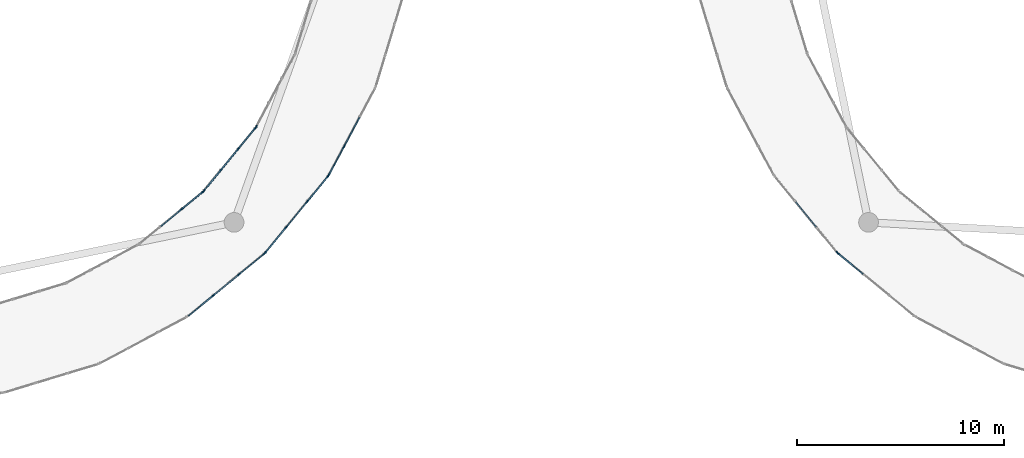
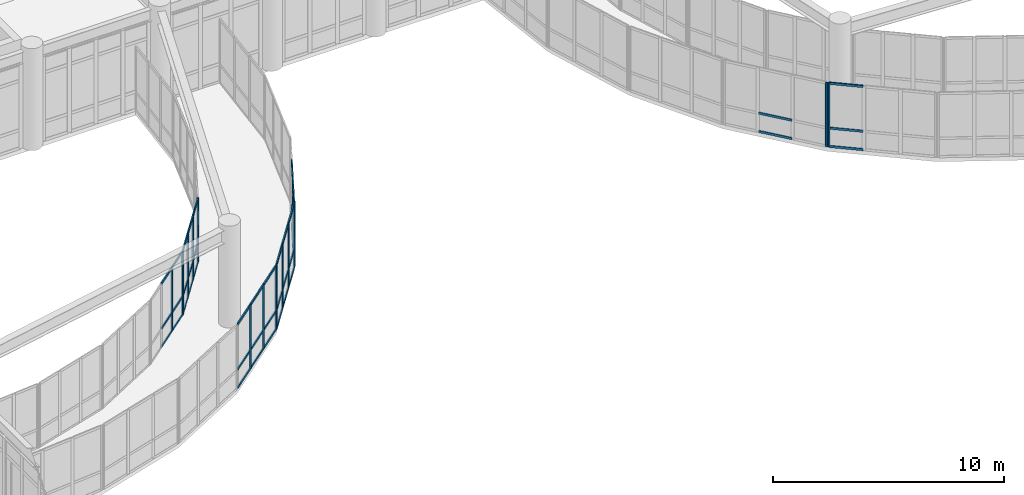
# One storey, part 19 of 72: 62 members, 8 elements without a shape of their own.
"""IFC4 building model written with IfcOpenShell, lengths in metres."""

from ifc_helpers import new_model, si_unit, direction, frame, origin, origin_2d, place, context, subcontext, project, spatial, rectangle, extrude, material, material_profile, profile_set, type_object, element, aggregate, save


model = new_model("IFC4")

# Units and contexts
model_context = context("Model", 3, precision=1e-05, world=origin(), true_north=direction((0.0, 1.0)))
body_context = subcontext(model_context, "Body", "Model", "MODEL_VIEW")
ifc_project = project(units=[si_unit("LENGTHUNIT", "METRE"), si_unit("AREAUNIT", "SQUARE_METRE"), si_unit("VOLUMEUNIT", "CUBIC_METRE"), si_unit("PLANEANGLEUNIT", "RADIAN"), si_unit("MASSUNIT", "GRAM", prefix="KILO")], contexts=[model_context])

# Site, building, storey
site_placement = place(None, origin())
site = spatial("IfcSite", under=ifc_project, at=site_placement, CompositionType="ELEMENT")
building_placement = place(site_placement, origin())
building = spatial("IfcBuilding", under=site, at=building_placement, Name="Veldera Park Congress Hotel", CompositionType="ELEMENT")
storey_placement = place(building_placement, frame((0.0, 0.0, 5.39990234375)))
storey = spatial("IfcBuildingStorey", under=building, at=storey_placement, Name="L01", CompositionType="ELEMENT", Elevation=5.39990234375)

# Curtain wall, members
ifc_material_1 = material(Name="Low-E Triple Insulating Glass Unit (SHGC 0.22)", Category="glass")
curtain_wall_type = type_object("IfcCurtainWallType", Name="CW-BRG", PredefinedType="NOTDEFINED", material=ifc_material_1)
curtain_wall_1_placement = place(storey_placement, origin())
curtain_wall_1 = element("IfcCurtainWall", 1, at=curtain_wall_1_placement, inside=storey, type_object=curtain_wall_type, Name="L01 Curtain Wall CW3-BRGW-L01-A03", PredefinedType="NOTDEFINED")
ifc_material_2 = material(Name="Anodised Aluminium Alloy 6063-T6", Category="aluminium")
ifc_material_profile_1 = material_profile(ifc_material_2, rectangle(XDim=0.06005859375, YDim=0.159912109375, at=origin_2d()), Name="ALU 60x160")
ifc_profile_set_1 = profile_set([ifc_material_profile_1], Name="Anodised Aluminium Alloy 6063-T6")
member_type_1 = type_object("IfcMemberType", Name="CWM-160", PredefinedType="MULLION", material=ifc_profile_set_1)
member_1_placement = place(storey_placement, frame((13.3095703125, -2.034423828125, 0.0), z_axis=(0.0, 0.0, 1.0), x_axis=(-0.634402404183, 0.773002968666, 0.0)))
member_1 = element("IfcMember", 2, at=member_1_placement, type_object=member_type_1, Name="CW-BRG mullion 2", PredefinedType="MULLION", context=body_context, shape_type="SweptSolid", body=[
    extrude(rectangle(XDim=0.06005859375, YDim=0.159912109375, at=origin_2d()), origin(), (0.0, 0.0, 1.0), 3.400146484375),
])
member_2_placement = place(storey_placement, frame((14.55224609375, -1.0146484375, 0.0), z_axis=(0.0, 0.0, 1.0), x_axis=(-0.634402404183, 0.773002968666, 0.0)))
member_2 = element("IfcMember", 3, at=member_2_placement, type_object=member_type_1, Name="CW-BRG mullion 3", PredefinedType="MULLION", context=body_context, shape_type="SweptSolid", body=[
    extrude(rectangle(XDim=0.06005859375, YDim=0.159912109375, at=origin_2d()), origin(), (0.0, 0.0, 1.0), 3.400146484375),
])
member_3_placement = place(storey_placement, frame((15.771728515625, -0.013916015625, 0.0), z_axis=(0.0, 0.0, 1.0), x_axis=(-0.634402404183, 0.773002968666, 0.0)))
member_3 = element("IfcMember", 4, at=member_3_placement, type_object=member_type_1, Name="CW-BRG mullion 4", PredefinedType="MULLION", context=body_context, shape_type="SweptSolid", body=[
    extrude(rectangle(XDim=0.06005859375, YDim=0.159912109375, at=origin_2d()), origin(), (0.0, 0.0, 1.0), 3.400146484375),
])

curtain_wall_2_placement = place(storey_placement, origin())
curtain_wall_2 = element("IfcCurtainWall", 5, at=curtain_wall_2_placement, inside=storey, type_object=curtain_wall_type, Name="L01 Curtain Wall CW3-BRGW-L01-A04", PredefinedType="NOTDEFINED")
member_4_placement = place(storey_placement, frame((15.813720703125, 0.0283203125, 0.0), z_axis=(0.0, 0.0, 1.0), x_axis=(-0.773002968666, 0.634402404183, 0.0)))
member_4 = element("IfcMember", 6, at=member_4_placement, type_object=member_type_1, Name="CW-BRG mullion 1", PredefinedType="MULLION", context=body_context, shape_type="SweptSolid", body=[
    extrude(rectangle(XDim=0.06005859375, YDim=0.159912109375, at=origin_2d()), origin(), (0.0, 0.0, 1.0), 3.400146484375),
])
member_5_placement = place(storey_placement, frame((16.814697265625, 1.247802734375, 0.0), z_axis=(0.0, 0.0, 1.0), x_axis=(-0.773002968666, 0.634402404183, 0.0)))
member_5 = element("IfcMember", 7, at=member_5_placement, type_object=member_type_1, Name="CW-BRG mullion 2", PredefinedType="MULLION", context=body_context, shape_type="SweptSolid", body=[
    extrude(rectangle(XDim=0.06005859375, YDim=0.159912109375, at=origin_2d()), origin(), (0.0, 0.0, 1.0), 3.400146484375),
])
member_6_placement = place(storey_placement, frame((17.83447265625, 2.490478515625, 0.0), z_axis=(0.0, 0.0, 1.0), x_axis=(-0.773002968666, 0.634402404183, 0.0)))
member_6 = element("IfcMember", 8, at=member_6_placement, type_object=member_type_1, Name="CW-BRG mullion 3", PredefinedType="MULLION", context=body_context, shape_type="SweptSolid", body=[
    extrude(rectangle(XDim=0.06005859375, YDim=0.159912109375, at=origin_2d()), origin(), (0.0, 0.0, 1.0), 3.400146484375),
])
member_7_placement = place(storey_placement, frame((18.835205078125, 3.709716796875, 0.0), z_axis=(0.0, 0.0, 1.0), x_axis=(-0.773002968666, 0.634402404183, 0.0)))
member_7 = element("IfcMember", 9, at=member_7_placement, type_object=member_type_1, Name="CW-BRG mullion 4", PredefinedType="MULLION", context=body_context, shape_type="SweptSolid", body=[
    extrude(rectangle(XDim=0.06005859375, YDim=0.159912109375, at=origin_2d()), origin(), (0.0, 0.0, 1.0), 3.400146484375),
])

curtain_wall_3_placement = place(storey_placement, origin())
curtain_wall_3 = element("IfcCurtainWall", 10, at=curtain_wall_3_placement, inside=storey, type_object=curtain_wall_type, Name="L01 Curtain Wall CW3-BRGW-L01-A05", PredefinedType="NOTDEFINED")
member_8_placement = place(storey_placement, frame((18.868408203125, 3.759521484375, 0.0), z_axis=(0.0, 0.0, 1.0), x_axis=(-0.881927804203, 0.471384501415, 0.0)))
member_8 = element("IfcMember", 11, at=member_8_placement, type_object=member_type_1, Name="CW-BRG mullion 1", PredefinedType="MULLION", context=body_context, shape_type="SweptSolid", body=[
    extrude(rectangle(XDim=0.06005859375, YDim=0.159912109375, at=origin_2d()), origin(), (0.0, 0.0, 1.0), 3.400146484375),
])
member_9_placement = place(storey_placement, frame((19.61181640625, 5.150634765625, 0.0), z_axis=(0.0, 0.0, 1.0), x_axis=(-0.881927804203, 0.471384501415, 0.0)))
member_9 = element("IfcMember", 12, at=member_9_placement, type_object=member_type_1, Name="CW-BRG mullion 2", PredefinedType="MULLION", context=body_context, shape_type="SweptSolid", body=[
    extrude(rectangle(XDim=0.06005859375, YDim=0.159912109375, at=origin_2d()), origin(), (0.0, 0.0, 1.0), 3.400146484375),
])

# Curtain wall, member
curtain_wall_4_placement = place(storey_placement, origin())
curtain_wall_4 = element("IfcCurtainWall", 13, at=curtain_wall_4_placement, inside=storey, type_object=curtain_wall_type, Name="L01 Curtain Wall CW3-BRGW-L01-B11", PredefinedType="NOTDEFINED")
member_10_placement = place(storey_placement, frame((15.376220703125, 6.0927734375, 0.0), z_axis=(0.0, 0.0, 1.0), x_axis=(0.881928263239, -0.471383642588, 0.0)))
member_10 = element("IfcMember", 14, at=member_10_placement, type_object=member_type_1, Name="CW-BRG mullion 4", PredefinedType="MULLION", context=body_context, shape_type="SweptSolid", body=[
    extrude(rectangle(XDim=0.06005859375, YDim=0.159912109375, at=origin_2d()), origin(), (0.0, 0.0, 1.0), 3.400146484375),
])
aggregate(curtain_wall_4, [member_10])

# Curtain wall, members
curtain_wall_5_placement = place(storey_placement, origin())
curtain_wall_5 = element("IfcCurtainWall", 15, at=curtain_wall_5_placement, inside=storey, type_object=curtain_wall_type, Name="L01 Curtain Wall CW3-BRGW-L01-B12", PredefinedType="NOTDEFINED")
member_11_placement = place(storey_placement, frame((15.343017578125, 6.043212890625, 0.0), z_axis=(0.0, 0.0, 1.0), x_axis=(0.773016144823, -0.634386349036, 0.0)))
member_11 = element("IfcMember", 16, at=member_11_placement, type_object=member_type_1, Name="CW-BRG mullion 1", PredefinedType="MULLION", context=body_context, shape_type="SweptSolid", body=[
    extrude(rectangle(XDim=0.06005859375, YDim=0.159912109375, at=origin_2d()), origin(), (0.0, 0.0, 1.0), 3.400146484375),
])
member_12_placement = place(storey_placement, frame((14.516357421875, 5.035888671875, 0.0), z_axis=(0.0, 0.0, 1.0), x_axis=(0.773016144823, -0.634386349036, 0.0)))
member_12 = element("IfcMember", 17, at=member_12_placement, type_object=member_type_1, Name="CW-BRG mullion 2", PredefinedType="MULLION", context=body_context, shape_type="SweptSolid", body=[
    extrude(rectangle(XDim=0.06005859375, YDim=0.159912109375, at=origin_2d()), origin(), (0.0, 0.0, 1.0), 3.400146484375),
])
member_13_placement = place(storey_placement, frame((13.670654296875, 4.00537109375, 0.0), z_axis=(0.0, 0.0, 1.0), x_axis=(0.773016144823, -0.634386349036, 0.0)))
member_13 = element("IfcMember", 18, at=member_13_placement, type_object=member_type_1, Name="CW-BRG mullion 3", PredefinedType="MULLION", context=body_context, shape_type="SweptSolid", body=[
    extrude(rectangle(XDim=0.06005859375, YDim=0.159912109375, at=origin_2d()), origin(), (0.0, 0.0, 1.0), 3.400146484375),
])
member_14_placement = place(storey_placement, frame((12.843994140625, 2.998291015625, 0.0), z_axis=(0.0, 0.0, 1.0), x_axis=(0.773016144823, -0.634386349036, 0.0)))
member_14 = element("IfcMember", 19, at=member_14_placement, type_object=member_type_1, Name="CW-BRG mullion 4", PredefinedType="MULLION", context=body_context, shape_type="SweptSolid", body=[
    extrude(rectangle(XDim=0.06005859375, YDim=0.159912109375, at=origin_2d()), origin(), (0.0, 0.0, 1.0), 3.400146484375),
])

curtain_wall_6_placement = place(storey_placement, origin())
curtain_wall_6 = element("IfcCurtainWall", 20, at=curtain_wall_6_placement, inside=storey, type_object=curtain_wall_type, Name="L01 Curtain Wall CW3-BRGW-L01-B13", PredefinedType="NOTDEFINED")
member_15_placement = place(storey_placement, frame((12.8017578125, 2.9560546875, 0.0), z_axis=(0.0, 0.0, 1.0), x_axis=(0.634386349036, -0.773016144823, 0.0)))
member_15 = element("IfcMember", 21, at=member_15_placement, type_object=member_type_1, Name="CW-BRG mullion 1", PredefinedType="MULLION", context=body_context, shape_type="SweptSolid", body=[
    extrude(rectangle(XDim=0.06005859375, YDim=0.159912109375, at=origin_2d()), origin(), (0.0, 0.0, 1.0), 3.400146484375),
])
member_16_placement = place(storey_placement, frame((11.79443359375, 2.12939453125, 0.0), z_axis=(0.0, 0.0, 1.0), x_axis=(0.634386349036, -0.773016144823, 0.0)))
member_16 = element("IfcMember", 22, at=member_16_placement, type_object=member_type_1, Name="CW-BRG mullion 2", PredefinedType="MULLION", context=body_context, shape_type="SweptSolid", body=[
    extrude(rectangle(XDim=0.06005859375, YDim=0.159912109375, at=origin_2d()), origin(), (0.0, 0.0, 1.0), 3.400146484375),
])

# Curtain wall, member
curtain_wall_7_placement = place(storey_placement, origin())
curtain_wall_7 = element("IfcCurtainWall", 23, at=curtain_wall_7_placement, inside=storey, type_object=curtain_wall_type, Name="L01 Curtain Wall CW3-BRGE-L01-A03", PredefinedType="NOTDEFINED")
member_17_placement = place(storey_placement, frame((43.38623046875, 0.0283203125, 0.0), z_axis=(0.0, 0.0, 1.0), x_axis=(0.773002968666, 0.634402404183, 0.0)))
member_17 = element("IfcMember", 24, at=member_17_placement, type_object=member_type_1, Name="CW-BRG mullion 4", PredefinedType="MULLION", context=body_context, shape_type="SweptSolid", body=[
    extrude(rectangle(XDim=0.06005859375, YDim=0.159912109375, at=origin_2d()), origin(), (0.0, 0.0, 1.0), 3.400146484375),
])

curtain_wall_8_placement = place(storey_placement, origin())
curtain_wall_8 = element("IfcCurtainWall", 25, at=curtain_wall_8_placement, inside=storey, type_object=curtain_wall_type, Name="L01 Curtain Wall CW3-BRGE-L01-A04", PredefinedType="NOTDEFINED")
member_18_placement = place(storey_placement, frame((43.428466796875, -0.013916015625, 0.0), z_axis=(0.0, 0.0, 1.0), x_axis=(0.634402404183, 0.773002968666, 0.0)))
member_18 = element("IfcMember", 26, at=member_18_placement, type_object=member_type_1, Name="CW-BRG mullion 1", PredefinedType="MULLION", context=body_context, shape_type="SweptSolid", body=[
    extrude(rectangle(XDim=0.06005859375, YDim=0.159912109375, at=origin_2d()), origin(), (0.0, 0.0, 1.0), 3.400146484375),
])

# Member
ifc_material_profile_2 = material_profile(ifc_material_2, rectangle(XDim=0.06005859375, YDim=0.1201171875, at=origin_2d()), Name="ALU 60x120")
ifc_profile_set_2 = profile_set([ifc_material_profile_2], Name="Anodised Aluminium Alloy 6063-T6")
member_type_2 = type_object("IfcMemberType", Name="CWT-120", PredefinedType="USERDEFINED", material=ifc_profile_set_2)
member_19_placement = place(storey_placement, frame((12.11328125, -3.01611328125, 0.030029296875), z_axis=(0.773038980381, 0.634358522298, 0.0), x_axis=(-0.634358522298, 0.773038980381, 0.0)))
member_19 = element("IfcMember", 27, at=member_19_placement, type_object=member_type_2, Name="CW-BRG transom 1.1", ObjectType="TRANSOM", PredefinedType="USERDEFINED", context=body_context, shape_type="SweptSolid", body=[
    extrude(rectangle(XDim=0.06005859375, YDim=0.1201171875, at=origin_2d()), origin(), (0.0, 0.0, 1.0), 1.517578125),
])

member_20_placement = place(storey_placement, frame((12.11328125, -3.01611328125, 1.0), z_axis=(0.773038980381, 0.634358522298, 0.0), x_axis=(-0.634358522298, 0.773038980381, 0.0)))
member_20 = element("IfcMember", 28, at=member_20_placement, type_object=member_type_2, Name="CW-BRG transom 1.2", ObjectType="TRANSOM", PredefinedType="USERDEFINED", context=body_context, shape_type="SweptSolid", body=[
    extrude(rectangle(XDim=0.06005859375, YDim=0.1201171875, at=origin_2d()), origin(), (0.0, 0.0, 1.0), 1.517578125),
])

member_21_placement = place(storey_placement, frame((12.11328125, -3.01611328125, 3.3701171875), z_axis=(0.773038980381, 0.634358522298, 0.0), x_axis=(-0.634358522298, 0.773038980381, 0.0)))
member_21 = element("IfcMember", 29, at=member_21_placement, type_object=member_type_2, Name="CW-BRG transom 1.3", ObjectType="TRANSOM", PredefinedType="USERDEFINED", context=body_context, shape_type="SweptSolid", body=[
    extrude(rectangle(XDim=0.06005859375, YDim=0.1201171875, at=origin_2d()), origin(), (0.0, 0.0, 1.0), 1.517578125),
])

member_22_placement = place(storey_placement, frame((13.332763671875, -2.015380859375, 0.030029296875), z_axis=(0.773035679716, 0.634362544518, 0.0), x_axis=(-0.634362544518, 0.773035679716, 0.0)))
member_22 = element("IfcMember", 30, at=member_22_placement, type_object=member_type_2, Name="CW-BRG transom 2.1", ObjectType="TRANSOM", PredefinedType="USERDEFINED", context=body_context, shape_type="SweptSolid", body=[
    extrude(rectangle(XDim=0.06005859375, YDim=0.1201171875, at=origin_2d()), origin(), (0.0, 0.0, 1.0), 1.547607421875),
])

member_23_placement = place(storey_placement, frame((13.332763671875, -2.015380859375, 1.0), z_axis=(0.773035679716, 0.634362544518, 0.0), x_axis=(-0.634362544518, 0.773035679716, 0.0)))
member_23 = element("IfcMember", 31, at=member_23_placement, type_object=member_type_2, Name="CW-BRG transom 2.2", ObjectType="TRANSOM", PredefinedType="USERDEFINED", context=body_context, shape_type="SweptSolid", body=[
    extrude(rectangle(XDim=0.06005859375, YDim=0.1201171875, at=origin_2d()), origin(), (0.0, 0.0, 1.0), 1.547607421875),
])

member_24_placement = place(storey_placement, frame((13.332763671875, -2.015380859375, 3.3701171875), z_axis=(0.773035679716, 0.634362544518, 0.0), x_axis=(-0.634362544518, 0.773035679716, 0.0)))
member_24 = element("IfcMember", 32, at=member_24_placement, type_object=member_type_2, Name="CW-BRG transom 2.3", ObjectType="TRANSOM", PredefinedType="USERDEFINED", context=body_context, shape_type="SweptSolid", body=[
    extrude(rectangle(XDim=0.06005859375, YDim=0.1201171875, at=origin_2d()), origin(), (0.0, 0.0, 1.0), 1.547607421875),
])

member_25_placement = place(storey_placement, frame((14.575439453125, -0.99560546875, 0.030029296875), z_axis=(0.773038980381, 0.634358522298, 0.0), x_axis=(-0.634358522298, 0.773038980381, 0.0)))
member_25 = element("IfcMember", 33, at=member_25_placement, type_object=member_type_2, Name="CW-BRG transom 3.1", ObjectType="TRANSOM", PredefinedType="USERDEFINED", context=body_context, shape_type="SweptSolid", body=[
    extrude(rectangle(XDim=0.06005859375, YDim=0.1201171875, at=origin_2d()), origin(), (0.0, 0.0, 1.0), 1.517578125),
])

member_26_placement = place(storey_placement, frame((14.575439453125, -0.99560546875, 1.0), z_axis=(0.773038980381, 0.634358522298, 0.0), x_axis=(-0.634358522298, 0.773038980381, 0.0)))
member_26 = element("IfcMember", 34, at=member_26_placement, type_object=member_type_2, Name="CW-BRG transom 3.2", ObjectType="TRANSOM", PredefinedType="USERDEFINED", context=body_context, shape_type="SweptSolid", body=[
    extrude(rectangle(XDim=0.06005859375, YDim=0.1201171875, at=origin_2d()), origin(), (0.0, 0.0, 1.0), 1.517578125),
])

member_27_placement = place(storey_placement, frame((14.575439453125, -0.99560546875, 3.3701171875), z_axis=(0.773038980381, 0.634358522298, 0.0), x_axis=(-0.634358522298, 0.773038980381, 0.0)))
member_27 = element("IfcMember", 35, at=member_27_placement, type_object=member_type_2, Name="CW-BRG transom 3.3", ObjectType="TRANSOM", PredefinedType="USERDEFINED", context=body_context, shape_type="SweptSolid", body=[
    extrude(rectangle(XDim=0.06005859375, YDim=0.1201171875, at=origin_2d()), origin(), (0.0, 0.0, 1.0), 1.517578125),
])

aggregate(curtain_wall_1, [member_1, member_2, member_3, member_19, member_20, member_21, member_22, member_23, member_24, member_25, member_26, member_27])

member_28_placement = place(storey_placement, frame((15.832763671875, 0.051513671875, 0.030029296875), z_axis=(0.634454649058, 0.772960088419, 0.0), x_axis=(-0.772960088419, 0.634454649058, 0.0)))
member_28 = element("IfcMember", 36, at=member_28_placement, type_object=member_type_2, Name="CW-BRG transom 1.1", ObjectType="TRANSOM", PredefinedType="USERDEFINED", context=body_context, shape_type="SweptSolid", body=[
    extrude(rectangle(XDim=0.06005859375, YDim=0.1201171875, at=origin_2d()), origin(), (0.0, 0.0, 1.0), 1.517578125),
])

member_29_placement = place(storey_placement, frame((15.832763671875, 0.051513671875, 1.0), z_axis=(0.634454649058, 0.772960088419, 0.0), x_axis=(-0.772960088419, 0.634454649058, 0.0)))
member_29 = element("IfcMember", 37, at=member_29_placement, type_object=member_type_2, Name="CW-BRG transom 1.2", ObjectType="TRANSOM", PredefinedType="USERDEFINED", context=body_context, shape_type="SweptSolid", body=[
    extrude(rectangle(XDim=0.06005859375, YDim=0.1201171875, at=origin_2d()), origin(), (0.0, 0.0, 1.0), 1.517578125),
])

member_30_placement = place(storey_placement, frame((15.832763671875, 0.051513671875, 3.3701171875), z_axis=(0.634454649058, 0.772960088419, 0.0), x_axis=(-0.772960088419, 0.634454649058, 0.0)))
member_30 = element("IfcMember", 38, at=member_30_placement, type_object=member_type_2, Name="CW-BRG transom 1.3", ObjectType="TRANSOM", PredefinedType="USERDEFINED", context=body_context, shape_type="SweptSolid", body=[
    extrude(rectangle(XDim=0.06005859375, YDim=0.1201171875, at=origin_2d()), origin(), (0.0, 0.0, 1.0), 1.517578125),
])

member_31_placement = place(storey_placement, frame((16.833740234375, 1.27099609375, 0.030029296875), z_axis=(0.634362544518, 0.773035679716, 0.0), x_axis=(-0.773035679716, 0.634362544518, 0.0)))
member_31 = element("IfcMember", 39, at=member_31_placement, type_object=member_type_2, Name="CW-BRG transom 2.1", ObjectType="TRANSOM", PredefinedType="USERDEFINED", context=body_context, shape_type="SweptSolid", body=[
    extrude(rectangle(XDim=0.06005859375, YDim=0.1201171875, at=origin_2d()), origin(), (0.0, 0.0, 1.0), 1.547607421875),
])

member_32_placement = place(storey_placement, frame((16.833740234375, 1.27099609375, 1.0), z_axis=(0.634362544518, 0.773035679716, 0.0), x_axis=(-0.773035679716, 0.634362544518, 0.0)))
member_32 = element("IfcMember", 40, at=member_32_placement, type_object=member_type_2, Name="CW-BRG transom 2.2", ObjectType="TRANSOM", PredefinedType="USERDEFINED", context=body_context, shape_type="SweptSolid", body=[
    extrude(rectangle(XDim=0.06005859375, YDim=0.1201171875, at=origin_2d()), origin(), (0.0, 0.0, 1.0), 1.547607421875),
])

member_33_placement = place(storey_placement, frame((16.833740234375, 1.27099609375, 3.3701171875), z_axis=(0.634362544518, 0.773035679716, 0.0), x_axis=(-0.773035679716, 0.634362544518, 0.0)))
member_33 = element("IfcMember", 41, at=member_33_placement, type_object=member_type_2, Name="CW-BRG transom 2.3", ObjectType="TRANSOM", PredefinedType="USERDEFINED", context=body_context, shape_type="SweptSolid", body=[
    extrude(rectangle(XDim=0.06005859375, YDim=0.1201171875, at=origin_2d()), origin(), (0.0, 0.0, 1.0), 1.547607421875),
])

member_34_placement = place(storey_placement, frame((17.853515625, 2.513671875, 0.030029296875), z_axis=(0.634437422842, 0.772974227576, 0.0), x_axis=(-0.772974227576, 0.634437422842, 0.0)))
member_34 = element("IfcMember", 42, at=member_34_placement, type_object=member_type_2, Name="CW-BRG transom 3.1", ObjectType="TRANSOM", PredefinedType="USERDEFINED", context=body_context, shape_type="SweptSolid", body=[
    extrude(rectangle(XDim=0.06005859375, YDim=0.1201171875, at=origin_2d()), origin(), (0.0, 0.0, 1.0), 1.517333984375),
])

member_35_placement = place(storey_placement, frame((17.853515625, 2.513671875, 1.0), z_axis=(0.634437422842, 0.772974227576, 0.0), x_axis=(-0.772974227576, 0.634437422842, 0.0)))
member_35 = element("IfcMember", 43, at=member_35_placement, type_object=member_type_2, Name="CW-BRG transom 3.2", ObjectType="TRANSOM", PredefinedType="USERDEFINED", context=body_context, shape_type="SweptSolid", body=[
    extrude(rectangle(XDim=0.06005859375, YDim=0.1201171875, at=origin_2d()), origin(), (0.0, 0.0, 1.0), 1.517333984375),
])

member_36_placement = place(storey_placement, frame((17.853515625, 2.513671875, 3.3701171875), z_axis=(0.634437422842, 0.772974227576, 0.0), x_axis=(-0.772974227576, 0.634437422842, 0.0)))
member_36 = element("IfcMember", 44, at=member_36_placement, type_object=member_type_2, Name="CW-BRG transom 3.3", ObjectType="TRANSOM", PredefinedType="USERDEFINED", context=body_context, shape_type="SweptSolid", body=[
    extrude(rectangle(XDim=0.06005859375, YDim=0.1201171875, at=origin_2d()), origin(), (0.0, 0.0, 1.0), 1.517333984375),
])

aggregate(curtain_wall_2, [member_4, member_5, member_6, member_7, member_28, member_29, member_30, member_31, member_32, member_33, member_34, member_35, member_36])

member_37_placement = place(storey_placement, frame((18.882568359375, 3.785888671875, 0.030029296875), z_axis=(0.4713729563, 0.881933974892, 0.0), x_axis=(-0.881933974892, 0.4713729563, 0.0)))
member_37 = element("IfcMember", 45, at=member_37_placement, type_object=member_type_2, Name="CW-BRG transom 1.1", ObjectType="TRANSOM", PredefinedType="USERDEFINED", context=body_context, shape_type="SweptSolid", body=[
    extrude(rectangle(XDim=0.06005859375, YDim=0.1201171875, at=origin_2d()), origin(), (0.0, 0.0, 1.0), 1.517578125),
])

member_38_placement = place(storey_placement, frame((18.882568359375, 3.785888671875, 1.0), z_axis=(0.4713729563, 0.881933974892, 0.0), x_axis=(-0.881933974892, 0.4713729563, 0.0)))
member_38 = element("IfcMember", 46, at=member_38_placement, type_object=member_type_2, Name="CW-BRG transom 1.2", ObjectType="TRANSOM", PredefinedType="USERDEFINED", context=body_context, shape_type="SweptSolid", body=[
    extrude(rectangle(XDim=0.06005859375, YDim=0.1201171875, at=origin_2d()), origin(), (0.0, 0.0, 1.0), 1.517578125),
])

member_39_placement = place(storey_placement, frame((18.882568359375, 3.785888671875, 3.3701171875), z_axis=(0.4713729563, 0.881933974892, 0.0), x_axis=(-0.881933974892, 0.4713729563, 0.0)))
member_39 = element("IfcMember", 47, at=member_39_placement, type_object=member_type_2, Name="CW-BRG transom 1.3", ObjectType="TRANSOM", PredefinedType="USERDEFINED", context=body_context, shape_type="SweptSolid", body=[
    extrude(rectangle(XDim=0.06005859375, YDim=0.1201171875, at=origin_2d()), origin(), (0.0, 0.0, 1.0), 1.517578125),
])

member_40_placement = place(storey_placement, frame((19.6259765625, 5.17724609375, 0.030029296875), z_axis=(0.471406890935, 0.881915836789, 0.0), x_axis=(-0.881915836789, 0.471406890935, 0.0)))
member_40 = element("IfcMember", 48, at=member_40_placement, type_object=member_type_2, Name="CW-BRG transom 2.1", ObjectType="TRANSOM", PredefinedType="USERDEFINED", context=body_context, shape_type="SweptSolid", body=[
    extrude(rectangle(XDim=0.06005859375, YDim=0.1201171875, at=origin_2d()), origin(), (0.0, 0.0, 1.0), 1.54736328125),
])

member_41_placement = place(storey_placement, frame((19.6259765625, 5.17724609375, 1.0), z_axis=(0.471406890935, 0.881915836789, 0.0), x_axis=(-0.881915836789, 0.471406890935, 0.0)))
member_41 = element("IfcMember", 49, at=member_41_placement, type_object=member_type_2, Name="CW-BRG transom 2.2", ObjectType="TRANSOM", PredefinedType="USERDEFINED", context=body_context, shape_type="SweptSolid", body=[
    extrude(rectangle(XDim=0.06005859375, YDim=0.1201171875, at=origin_2d()), origin(), (0.0, 0.0, 1.0), 1.54736328125),
])

member_42_placement = place(storey_placement, frame((19.6259765625, 5.17724609375, 3.3701171875), z_axis=(0.471406890935, 0.881915836789, 0.0), x_axis=(-0.881915836789, 0.471406890935, 0.0)))
member_42 = element("IfcMember", 50, at=member_42_placement, type_object=member_type_2, Name="CW-BRG transom 2.3", ObjectType="TRANSOM", PredefinedType="USERDEFINED", context=body_context, shape_type="SweptSolid", body=[
    extrude(rectangle(XDim=0.06005859375, YDim=0.1201171875, at=origin_2d()), origin(), (0.0, 0.0, 1.0), 1.54736328125),
])

aggregate(curtain_wall_3, [member_8, member_9, member_37, member_38, member_39, member_40, member_41, member_42])

member_43_placement = place(storey_placement, frame((15.323974609375, 6.02001953125, 0.030029296875), z_axis=(-0.634370784005, -0.773028918218, 0.0), x_axis=(0.773028918218, -0.634370784005, 0.0)))
member_43 = element("IfcMember", 51, at=member_43_placement, type_object=member_type_2, Name="CW-BRG transom 1.1", ObjectType="TRANSOM", PredefinedType="USERDEFINED", context=body_context, shape_type="SweptSolid", body=[
    extrude(rectangle(XDim=0.06005859375, YDim=0.1201171875, at=origin_2d()), origin(), (0.0, 0.0, 1.0), 1.2431640625),
])

member_44_placement = place(storey_placement, frame((15.323974609375, 6.02001953125, 1.0), z_axis=(-0.634370784005, -0.773028918218, 0.0), x_axis=(0.773028918218, -0.634370784005, 0.0)))
member_44 = element("IfcMember", 52, at=member_44_placement, type_object=member_type_2, Name="CW-BRG transom 1.2", ObjectType="TRANSOM", PredefinedType="USERDEFINED", context=body_context, shape_type="SweptSolid", body=[
    extrude(rectangle(XDim=0.06005859375, YDim=0.1201171875, at=origin_2d()), origin(), (0.0, 0.0, 1.0), 1.2431640625),
])

member_45_placement = place(storey_placement, frame((15.323974609375, 6.02001953125, 3.3701171875), z_axis=(-0.634370784005, -0.773028918218, 0.0), x_axis=(0.773028918218, -0.634370784005, 0.0)))
member_45 = element("IfcMember", 53, at=member_45_placement, type_object=member_type_2, Name="CW-BRG transom 1.3", ObjectType="TRANSOM", PredefinedType="USERDEFINED", context=body_context, shape_type="SweptSolid", body=[
    extrude(rectangle(XDim=0.06005859375, YDim=0.1201171875, at=origin_2d()), origin(), (0.0, 0.0, 1.0), 1.2431640625),
])

member_46_placement = place(storey_placement, frame((14.497314453125, 5.0126953125, 0.030029296875), z_axis=(-0.634375384168, -0.773025143163, 0.0), x_axis=(0.773025143163, -0.634375384168, 0.0)))
member_46 = element("IfcMember", 54, at=member_46_placement, type_object=member_type_2, Name="CW-BRG transom 2.1", ObjectType="TRANSOM", PredefinedType="USERDEFINED", context=body_context, shape_type="SweptSolid", body=[
    extrude(rectangle(XDim=0.06005859375, YDim=0.1201171875, at=origin_2d()), origin(), (0.0, 0.0, 1.0), 1.273193359375),
])

member_47_placement = place(storey_placement, frame((14.497314453125, 5.0126953125, 1.0), z_axis=(-0.634375384168, -0.773025143163, 0.0), x_axis=(0.773025143163, -0.634375384168, 0.0)))
member_47 = element("IfcMember", 55, at=member_47_placement, type_object=member_type_2, Name="CW-BRG transom 2.2", ObjectType="TRANSOM", PredefinedType="USERDEFINED", context=body_context, shape_type="SweptSolid", body=[
    extrude(rectangle(XDim=0.06005859375, YDim=0.1201171875, at=origin_2d()), origin(), (0.0, 0.0, 1.0), 1.273193359375),
])

member_48_placement = place(storey_placement, frame((14.497314453125, 5.0126953125, 3.3701171875), z_axis=(-0.634375384168, -0.773025143163, 0.0), x_axis=(0.773025143163, -0.634375384168, 0.0)))
member_48 = element("IfcMember", 56, at=member_48_placement, type_object=member_type_2, Name="CW-BRG transom 2.3", ObjectType="TRANSOM", PredefinedType="USERDEFINED", context=body_context, shape_type="SweptSolid", body=[
    extrude(rectangle(XDim=0.06005859375, YDim=0.1201171875, at=origin_2d()), origin(), (0.0, 0.0, 1.0), 1.273193359375),
])

member_49_placement = place(storey_placement, frame((13.651611328125, 3.982177734375, 0.030029296875), z_axis=(-0.634467105518, -0.772949863843, 0.0), x_axis=(0.772949863843, -0.634467105518, 0.0)))
member_49 = element("IfcMember", 57, at=member_49_placement, type_object=member_type_2, Name="CW-BRG transom 3.1", ObjectType="TRANSOM", PredefinedType="USERDEFINED", context=body_context, shape_type="SweptSolid", body=[
    extrude(rectangle(XDim=0.06005859375, YDim=0.1201171875, at=origin_2d()), origin(), (0.0, 0.0, 1.0), 1.242919921875),
])

member_50_placement = place(storey_placement, frame((13.651611328125, 3.982177734375, 1.0), z_axis=(-0.634467105518, -0.772949863843, 0.0), x_axis=(0.772949863843, -0.634467105518, 0.0)))
member_50 = element("IfcMember", 58, at=member_50_placement, type_object=member_type_2, Name="CW-BRG transom 3.2", ObjectType="TRANSOM", PredefinedType="USERDEFINED", context=body_context, shape_type="SweptSolid", body=[
    extrude(rectangle(XDim=0.06005859375, YDim=0.1201171875, at=origin_2d()), origin(), (0.0, 0.0, 1.0), 1.242919921875),
])

member_51_placement = place(storey_placement, frame((13.651611328125, 3.982177734375, 3.3701171875), z_axis=(-0.634467105518, -0.772949863843, 0.0), x_axis=(0.772949863843, -0.634467105518, 0.0)))
member_51 = element("IfcMember", 59, at=member_51_placement, type_object=member_type_2, Name="CW-BRG transom 3.3", ObjectType="TRANSOM", PredefinedType="USERDEFINED", context=body_context, shape_type="SweptSolid", body=[
    extrude(rectangle(XDim=0.06005859375, YDim=0.1201171875, at=origin_2d()), origin(), (0.0, 0.0, 1.0), 1.242919921875),
])

aggregate(curtain_wall_5, [member_11, member_12, member_13, member_14, member_43, member_44, member_45, member_46, member_47, member_48, member_49, member_50, member_51])

member_52_placement = place(storey_placement, frame((12.778564453125, 2.93701171875, 0.030029296875), z_axis=(-0.773028918218, -0.634370784005, 0.0), x_axis=(0.634370784005, -0.773028918218, 0.0)))
member_52 = element("IfcMember", 60, at=member_52_placement, type_object=member_type_2, Name="CW-BRG transom 1.1", ObjectType="TRANSOM", PredefinedType="USERDEFINED", context=body_context, shape_type="SweptSolid", body=[
    extrude(rectangle(XDim=0.06005859375, YDim=0.1201171875, at=origin_2d()), origin(), (0.0, 0.0, 1.0), 1.2431640625),
])

member_53_placement = place(storey_placement, frame((12.778564453125, 2.93701171875, 1.0), z_axis=(-0.773028918218, -0.634370784005, 0.0), x_axis=(0.634370784005, -0.773028918218, 0.0)))
member_53 = element("IfcMember", 61, at=member_53_placement, type_object=member_type_2, Name="CW-BRG transom 1.2", ObjectType="TRANSOM", PredefinedType="USERDEFINED", context=body_context, shape_type="SweptSolid", body=[
    extrude(rectangle(XDim=0.06005859375, YDim=0.1201171875, at=origin_2d()), origin(), (0.0, 0.0, 1.0), 1.2431640625),
])

member_54_placement = place(storey_placement, frame((12.778564453125, 2.93701171875, 3.3701171875), z_axis=(-0.773028918218, -0.634370784005, 0.0), x_axis=(0.634370784005, -0.773028918218, 0.0)))
member_54 = element("IfcMember", 62, at=member_54_placement, type_object=member_type_2, Name="CW-BRG transom 1.3", ObjectType="TRANSOM", PredefinedType="USERDEFINED", context=body_context, shape_type="SweptSolid", body=[
    extrude(rectangle(XDim=0.06005859375, YDim=0.1201171875, at=origin_2d()), origin(), (0.0, 0.0, 1.0), 1.2431640625),
])

member_55_placement = place(storey_placement, frame((11.771240234375, 2.1103515625, 0.030029296875), z_axis=(-0.772947951562, -0.634469435178, 0.0), x_axis=(0.634469435178, -0.772947951562, 0.0)))
member_55 = element("IfcMember", 63, at=member_55_placement, type_object=member_type_2, Name="CW-BRG transom 2.1", ObjectType="TRANSOM", PredefinedType="USERDEFINED", context=body_context, shape_type="SweptSolid", body=[
    extrude(rectangle(XDim=0.06005859375, YDim=0.1201171875, at=origin_2d()), origin(), (0.0, 0.0, 1.0), 1.27294921875),
])

member_56_placement = place(storey_placement, frame((11.771240234375, 2.1103515625, 1.0), z_axis=(-0.772947951562, -0.634469435178, 0.0), x_axis=(0.634469435178, -0.772947951562, 0.0)))
member_56 = element("IfcMember", 64, at=member_56_placement, type_object=member_type_2, Name="CW-BRG transom 2.2", ObjectType="TRANSOM", PredefinedType="USERDEFINED", context=body_context, shape_type="SweptSolid", body=[
    extrude(rectangle(XDim=0.06005859375, YDim=0.1201171875, at=origin_2d()), origin(), (0.0, 0.0, 1.0), 1.27294921875),
])

member_57_placement = place(storey_placement, frame((11.771240234375, 2.1103515625, 3.3701171875), z_axis=(-0.772947951562, -0.634469435178, 0.0), x_axis=(0.634469435178, -0.772947951562, 0.0)))
member_57 = element("IfcMember", 65, at=member_57_placement, type_object=member_type_2, Name="CW-BRG transom 2.3", ObjectType="TRANSOM", PredefinedType="USERDEFINED", context=body_context, shape_type="SweptSolid", body=[
    extrude(rectangle(XDim=0.06005859375, YDim=0.1201171875, at=origin_2d()), origin(), (0.0, 0.0, 1.0), 1.27294921875),
])

aggregate(curtain_wall_6, [member_15, member_16, member_52, member_53, member_54, member_55, member_56, member_57])

member_58_placement = place(storey_placement, frame((41.384521484375, 2.46728515625, 0.030029296875), z_axis=(0.634456806668, -0.772958317422, 0.0), x_axis=(0.772958317422, 0.634456806668, 0.0)))
member_58 = element("IfcMember", 66, at=member_58_placement, type_object=member_type_2, Name="CW-BRG transom 2.1", ObjectType="TRANSOM", PredefinedType="USERDEFINED", context=body_context, shape_type="SweptSolid", body=[
    extrude(rectangle(XDim=0.06005859375, YDim=0.1201171875, at=origin_2d()), origin(), (0.0, 0.0, 1.0), 1.547607421875),
])

member_59_placement = place(storey_placement, frame((41.384521484375, 2.46728515625, 1.0), z_axis=(0.634456806668, -0.772958317422, 0.0), x_axis=(0.772958317422, 0.634456806668, 0.0)))
member_59 = element("IfcMember", 67, at=member_59_placement, type_object=member_type_2, Name="CW-BRG transom 2.2", ObjectType="TRANSOM", PredefinedType="USERDEFINED", context=body_context, shape_type="SweptSolid", body=[
    extrude(rectangle(XDim=0.06005859375, YDim=0.1201171875, at=origin_2d()), origin(), (0.0, 0.0, 1.0), 1.547607421875),
])

aggregate(curtain_wall_7, [member_17, member_58, member_59])

member_60_placement = place(storey_placement, frame((43.45166015625, -0.032958984375, 0.030029296875), z_axis=(0.772974227576, -0.634437422842, 0.0), x_axis=(0.634437422842, 0.772974227576, 0.0)))
member_60 = element("IfcMember", 68, at=member_60_placement, type_object=member_type_2, Name="CW-BRG transom 1.1", ObjectType="TRANSOM", PredefinedType="USERDEFINED", context=body_context, shape_type="SweptSolid", body=[
    extrude(rectangle(XDim=0.06005859375, YDim=0.1201171875, at=origin_2d()), origin(), (0.0, 0.0, 1.0), 1.517333984375),
])

member_61_placement = place(storey_placement, frame((43.45166015625, -0.032958984375, 1.0), z_axis=(0.772974227576, -0.634437422842, 0.0), x_axis=(0.634437422842, 0.772974227576, 0.0)))
member_61 = element("IfcMember", 69, at=member_61_placement, type_object=member_type_2, Name="CW-BRG transom 1.2", ObjectType="TRANSOM", PredefinedType="USERDEFINED", context=body_context, shape_type="SweptSolid", body=[
    extrude(rectangle(XDim=0.06005859375, YDim=0.1201171875, at=origin_2d()), origin(), (0.0, 0.0, 1.0), 1.517333984375),
])

member_62_placement = place(storey_placement, frame((43.45166015625, -0.032958984375, 3.3701171875), z_axis=(0.772974227576, -0.634437422842, 0.0), x_axis=(0.634437422842, 0.772974227576, 0.0)))
member_62 = element("IfcMember", 70, at=member_62_placement, type_object=member_type_2, Name="CW-BRG transom 1.3", ObjectType="TRANSOM", PredefinedType="USERDEFINED", context=body_context, shape_type="SweptSolid", body=[
    extrude(rectangle(XDim=0.06005859375, YDim=0.1201171875, at=origin_2d()), origin(), (0.0, 0.0, 1.0), 1.517333984375),
])

aggregate(curtain_wall_8, [member_18, member_60, member_61, member_62])

save(model, "model.ifc")
